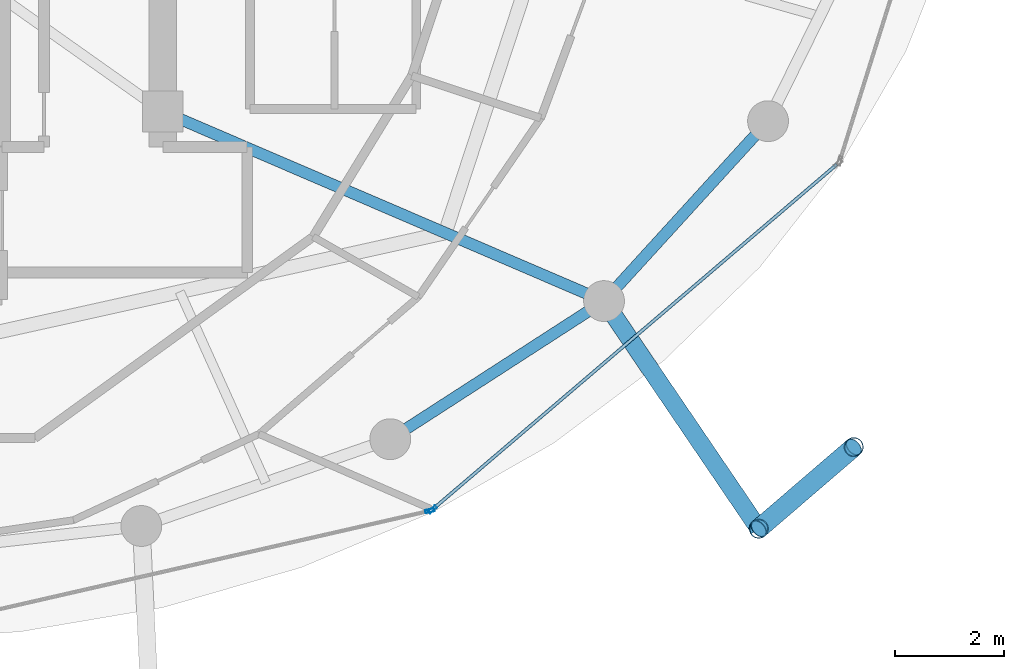
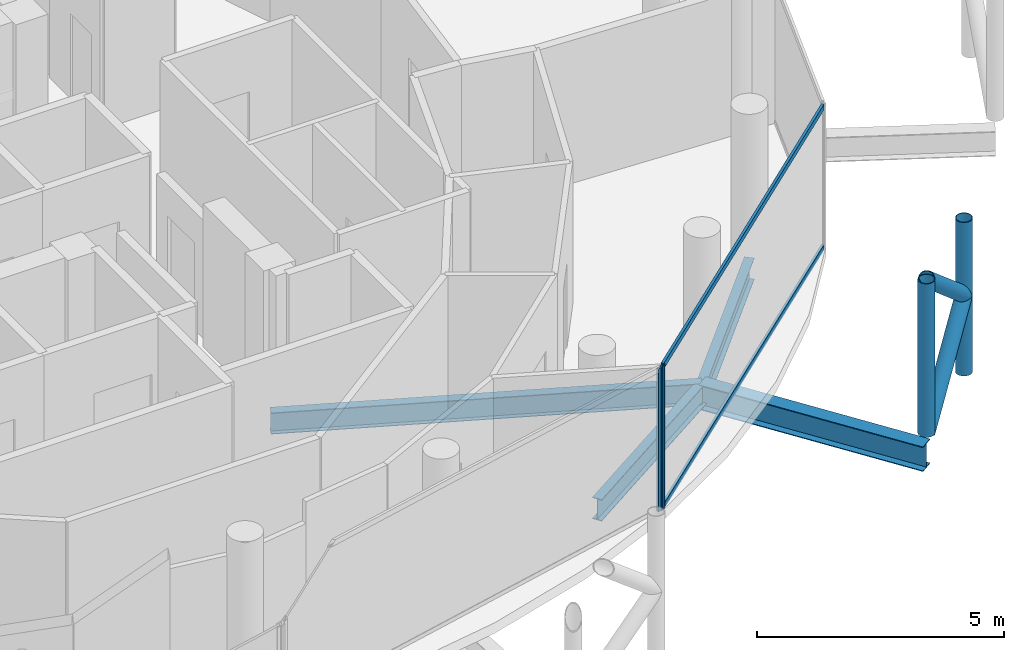
# One storey, part 9 of 24: 8 members, 4 beams, 2 elements without a shape of their own.
"""IFC4 building model written with IfcOpenShell, lengths in metres."""

import ifcopenshell
import ifcopenshell.guid

model = None  # the IFC model being written
_history = None  # IfcOwnerHistory: only IFC2X3 demands one
_inside = {}  # id of a spatial element -> (the spatial element, [elements in it])
_under = {}  # id of a project, library or spatial element -> (it, [spatial elements below it])
_declared = {}  # id of a project -> (the project, [libraries it declares])
_typed = {}  # id of a type object -> (the type object, [elements of that type])
_made_of = {}  # id of a material, layer set ... -> (it, [elements and type objects made of it])


def new_model(schema):
    """Start an empty IFC model of exactly this schema.

    Asked for "IFC4X3", IfcOpenShell would pick the latest addendum, in which some entities
    have other attributes; the version numbers below select the first issue.
    IFC2X3 requires an IfcOwnerHistory on every rooted entity: one is made here for all.
    """
    global model, _history
    if schema == "IFC4X3":
        model = ifcopenshell.file(schema_version=(4, 3, 0, 0))
    else:
        model = ifcopenshell.file(schema=schema)
    _inside.clear()
    _under.clear()
    _declared.clear()
    _typed.clear()
    _made_of.clear()
    _history = None
    if model.schema == "IFC2X3":
        org = make("IfcOrganization", Name="unknown")
        user = make(
            "IfcPersonAndOrganization",
            ThePerson=make("IfcPerson", FamilyName="unknown"),
            TheOrganization=org,
        )
        app = make(
            "IfcApplication",
            ApplicationDeveloper=org,
            Version="unknown",
            ApplicationFullName="unknown",
            ApplicationIdentifier="unknown",
        )
        _history = make(
            "IfcOwnerHistory",
            OwningUser=user,
            OwningApplication=app,
            ChangeAction="ADDED",
            CreationDate=0,
        )
    return model


def make(cls, **values):
    """One entity of the class cls with the attributes given. An attribute that is None is left unset."""
    return model.create_entity(
        cls, **{name: value for name, value in values.items() if value is not None}
    )


def rooted(cls, **values):
    """An entity with a GlobalId (a new one), such as an element, a storey or a relation."""
    return make(cls, GlobalId=ifcopenshell.guid.new(), OwnerHistory=_history, **values)


def si_unit(unit_type, name, prefix=None):
    """IfcSIUnit, for example si_unit("LENGTHUNIT", "METRE", prefix="MILLI")."""
    return make("IfcSIUnit", UnitType=unit_type, Prefix=prefix, Name=name)


def assignment(units):
    """IfcUnitAssignment: the units of a project."""
    return None if units is None else make("IfcUnitAssignment", Units=units)


def point(xyz):
    """IfcCartesianPoint."""
    return None if xyz is None else make("IfcCartesianPoint", Coordinates=xyz)


def direction(xyz):
    """IfcDirection."""
    return None if xyz is None else make("IfcDirection", DirectionRatios=xyz)


def frame(location, z_axis=None, x_axis=None):
    """IfcAxis2Placement3D, a coordinate frame: its origin and axes. An axis left out is left unset."""
    return make(
        "IfcAxis2Placement3D",
        Location=point(location),
        Axis=direction(z_axis),
        RefDirection=direction(x_axis),
    )


def frame_2d(location, x_axis=None):
    """IfcAxis2Placement2D, a coordinate frame in the plane: its origin and x axis."""
    return make(
        "IfcAxis2Placement2D", Location=point(location), RefDirection=direction(x_axis)
    )


def origin():
    """The frame at (0, 0, 0) with its axes left unset."""
    return frame((0.0, 0.0, 0.0))


def origin_2d():
    """The frame at (0, 0) in the plane with its x axis left unset."""
    return frame_2d((0.0, 0.0))


def place(relative_to, where):
    """IfcLocalPlacement: puts the frame where relative to a parent placement (None: the world)."""
    return make(
        "IfcLocalPlacement", PlacementRelTo=relative_to, RelativePlacement=where
    )


def context(
    kind, dimensions, precision=None, world=None, true_north=None, identifier=None
):
    """IfcGeometricRepresentationContext, for example the 3D "Model" context."""
    return make(
        "IfcGeometricRepresentationContext",
        ContextIdentifier=identifier,
        ContextType=kind,
        CoordinateSpaceDimension=dimensions,
        Precision=precision,
        WorldCoordinateSystem=world,
        TrueNorth=true_north,
    )


def subcontext(parent, identifier, kind, view, scale=None):
    """IfcGeometricRepresentationSubContext, for example "Body" below "Model"."""
    return make(
        "IfcGeometricRepresentationSubContext",
        ContextIdentifier=identifier,
        ContextType=kind,
        ParentContext=parent,
        TargetScale=scale,
        TargetView=view,
    )


def project(units=None, contexts=None):
    """IfcProject with its units and contexts."""
    return rooted(
        "IfcProject",
        Name="project",
        RepresentationContexts=contexts,
        UnitsInContext=assignment(units),
    )


def spatial(cls, under=None, at=None, **own):
    """A site, building, storey or space (cls), placed at a placement, below another one or the project."""
    s = rooted(cls, ObjectPlacement=at, **own)
    if under is not None:
        _under.setdefault(under.id(), (under, []))[1].append(s)
    return s


def profile(cls, at=None, kind="AREA", **sizes):
    """A parametric profile (cls). Its sizes go by their IFC names, for example OverallWidth=200.0."""
    return make(cls, ProfileType=kind, Position=at, **sizes)


def hollow_rectangle(**sizes):
    """IfcRectangleHollowProfileDef."""
    return profile("IfcRectangleHollowProfileDef", **sizes)


def hollow_circle(**sizes):
    """IfcCircleHollowProfileDef."""
    return profile("IfcCircleHollowProfileDef", **sizes)


def i_section(**sizes):
    """IfcIShapeProfileDef."""
    return profile("IfcIShapeProfileDef", **sizes)


def extrude(swept, where, along, depth):
    """IfcExtrudedAreaSolid: the profile swept, set in the frame where, extruded along a direction by depth."""
    return make(
        "IfcExtrudedAreaSolid",
        SweptArea=swept,
        Position=where,
        ExtrudedDirection=direction(along),
        Depth=depth,
    )


def shape(context_of_items, identifier, shape_type, items):
    """IfcShapeRepresentation: the items that make up one representation, for example the "Body"."""
    return make(
        "IfcShapeRepresentation",
        ContextOfItems=context_of_items,
        RepresentationIdentifier=identifier,
        RepresentationType=shape_type,
        Items=items,
    )


def material(Name=None, Category=None):
    """IfcMaterial."""
    return make("IfcMaterial", Name=Name, Category=Category)


def layer(
    of_material, thickness, ventilated=None, Name=None, Category=None, Priority=None
):
    """IfcMaterialLayer: one layer of a wall or slab, of a material (None: an air gap)."""
    return make(
        "IfcMaterialLayer",
        Material=of_material,
        LayerThickness=thickness,
        IsVentilated=ventilated,
        Name=Name,
        Category=Category,
        Priority=Priority,
    )


def layer_set(layers, Name=None):
    """IfcMaterialLayerSet."""
    return make("IfcMaterialLayerSet", MaterialLayers=layers, LayerSetName=Name)


def material_profile(
    of_material, cross_section, Name=None, Category=None, Priority=None
):
    """IfcMaterialProfile: a cross section and its material."""
    return make(
        "IfcMaterialProfile",
        Name=Name,
        Material=of_material,
        Profile=cross_section,
        Priority=Priority,
        Category=Category,
    )


def profile_set(profiles, Name=None, composite=None):
    """IfcMaterialProfileSet."""
    return make(
        "IfcMaterialProfileSet",
        Name=Name,
        MaterialProfiles=profiles,
        CompositeProfile=composite,
    )


def made_of(thing, what):
    """Note that an element or type object is made of a material, layer set ...; save() writes the relation."""
    if what is not None:
        _made_of.setdefault(what.id(), (what, []))[1].append(thing)
    return thing


def type_object(cls, material=None, **own):
    """A type object (cls), such as IfcWallType, which elements share."""
    return made_of(rooted(cls, **own), material)


def element(
    cls,
    number,
    at=None,
    inside=None,
    cuts=None,
    type_object=None,
    material=None,
    context=None,
    identifier="Body",
    shape_type=None,
    held_by="IfcProductDefinitionShape",
    body=None,
    shapes=None,
    **own,
):
    """One element of the class cls, such as IfcWall. Its Tag is "e" and its number.

    at: its placement. inside: the storey or other place that contains it. cuts: it is an
    opening in that element (IfcRelVoidsElement). A single representation is given by context,
    identifier, shape_type and body (its items); several are given by shapes. held_by: the class
    of the entity that holds the representations. save() writes the other relations.
    """
    e = rooted(cls, Tag="e%d" % number, ObjectPlacement=at, **own)
    if body is not None:
        shapes = [shape(context, identifier, shape_type, body)]
    if shapes is not None:
        e.Representation = make(held_by, Representations=shapes)
    if inside is not None:
        _inside.setdefault(inside.id(), (inside, []))[1].append(e)
    if cuts is not None:
        rooted(
            "IfcRelVoidsElement", RelatingBuildingElement=cuts, RelatedOpeningElement=e
        )
    if type_object is not None:
        _typed.setdefault(type_object.id(), (type_object, []))[1].append(e)
    return made_of(e, material)


def aggregate(whole, parts):
    """IfcRelAggregates: a whole, such as a stair, and the parts it consists of."""
    return rooted("IfcRelAggregates", RelatingObject=whole, RelatedObjects=parts)


def save(model, path):
    """Write the relations noted so far, then the file.

    IfcRelAggregates (storeys below a building ...), IfcRelContainedInSpatialStructure (elements
    in a storey), IfcRelDefinesByType, IfcRelAssociatesMaterial and IfcRelDeclares: one each for
    every whole, place, type object, material and project.
    """
    for whole, parts in _under.values():
        aggregate(whole, parts)
    for where, things in _inside.values():
        rooted(
            "IfcRelContainedInSpatialStructure",
            RelatedElements=things,
            RelatingStructure=where,
        )
    for kind, things in _typed.values():
        rooted("IfcRelDefinesByType", RelatedObjects=things, RelatingType=kind)
    for what, things in _made_of.values():
        rooted("IfcRelAssociatesMaterial", RelatedObjects=things, RelatingMaterial=what)
    for by, libraries in _declared.values():
        rooted("IfcRelDeclares", RelatingContext=by, RelatedDefinitions=libraries)
    model.write(path)


model = new_model("IFC4")

# Units and contexts
model_context = context("Model", 3, precision=1e-05, world=origin(), true_north=direction((0.0, 1.0)))
body_context = subcontext(model_context, "Body", "Model", "MODEL_VIEW")
ifc_project = project(units=[si_unit("LENGTHUNIT", "METRE"), si_unit("AREAUNIT", "SQUARE_METRE"), si_unit("VOLUMEUNIT", "CUBIC_METRE"), si_unit("PLANEANGLEUNIT", "RADIAN"), si_unit("MASSUNIT", "GRAM", prefix="KILO")], contexts=[model_context])

# Site, building, storey
site_placement = place(None, origin())
site = spatial("IfcSite", under=ifc_project, at=site_placement, CompositionType="ELEMENT")
building_placement = place(site_placement, origin())
building = spatial("IfcBuilding", under=site, at=building_placement, Name="Nuhasar Tower", CompositionType="ELEMENT")
storey_placement = place(building_placement, frame((0.0, 0.0, 263.199951171875)))
storey = spatial("IfcBuildingStorey", under=building, at=storey_placement, Name="L65", CompositionType="ELEMENT", Elevation=263.199951171875)

# Beams
ifc_material_1 = material(Name="Steel S355", Category="steel")
ifc_material_profile_1 = material_profile(ifc_material_1, i_section(OverallWidth=0.208984375, OverallDepth=0.528076171875, WebThickness=0.009521484375, FlangeThickness=0.01318359375, at=origin_2d()), Name="W21X55")
ifc_profile_set_1 = profile_set([ifc_material_profile_1], Name="Steel S355")
beam_type_1 = type_object("IfcBeamType", Name="BM-RAD-W21X55", PredefinedType="BEAM", material=ifc_profile_set_1)
beam_1_placement = place(storey_placement, frame((44.300048828125, 19.0, -0.52392578125), z_axis=(0.91887119061, -0.394557644797, 0.0), x_axis=(0.394557644797, 0.91887119061, 0.0)))
element("IfcBeam", 1, at=beam_1_placement, inside=storey, type_object=beam_type_1, Name="L65 Radial Floor Girder 03", PredefinedType="BEAM", context=body_context, shape_type="SweptSolid", body=[
    extrude(i_section(OverallWidth=0.208984375, OverallDepth=0.528076171875, WebThickness=0.009521484375, FlangeThickness=0.01318359375, at=origin_2d()), origin(), (0.0, 0.0, 1.0), 8.81494140625),
])
ifc_material_profile_2 = material_profile(ifc_material_1, i_section(OverallWidth=0.2099609375, OverallDepth=0.537109375, WebThickness=0.010986328125, FlangeThickness=0.017333984375, at=origin_2d()), Name="W21X68")
ifc_profile_set_2 = profile_set([ifc_material_profile_2], Name="Steel S355")
beam_type_2 = type_object("IfcBeamType", Name="BM-RING-W21X68", PredefinedType="SPANDREL", material=ifc_profile_set_2)
beam_2_placement = place(storey_placement, frame((48.47509765625, 12.987060546875, -0.529052734375), z_axis=(0.840025485934, 0.542546940809, 0.0), x_axis=(-0.542546940809, 0.840025485934, 0.0)))
element("IfcBeam", 2, at=beam_2_placement, inside=storey, type_object=beam_type_2, Name="L65 Perimeter Ring Spandrel 21", PredefinedType="SPANDREL", context=body_context, shape_type="SweptSolid", body=[
    extrude(i_section(OverallWidth=0.2099609375, OverallDepth=0.537109375, WebThickness=0.010986328125, FlangeThickness=0.017333984375, at=origin_2d()), origin(), (0.0, 0.0, 1.0), 4.67236328125),
])
beam_3_placement = place(storey_placement, frame((52.39990234375, 15.52197265625, -0.529052734375), z_axis=(0.673686302939, 0.739017432293, 0.0), x_axis=(-0.739017432293, 0.673686302939, 0.0)))
element("IfcBeam", 3, at=beam_3_placement, inside=storey, type_object=beam_type_2, Name="L65 Perimeter Ring Spandrel 22", PredefinedType="SPANDREL", context=body_context, shape_type="SweptSolid", body=[
    extrude(i_section(OverallWidth=0.2099609375, OverallDepth=0.537109375, WebThickness=0.010986328125, FlangeThickness=0.017333984375, at=origin_2d()), origin(), (0.0, 0.0, 1.0), 4.469482421875),
])
ifc_material_profile_3 = material_profile(ifc_material_1, i_section(OverallWidth=0.323974609375, OverallDepth=0.611083984375, WebThickness=0.0126953125, FlangeThickness=0.01904296875, at=origin_2d()), Name="W24X104")
ifc_profile_set_3 = profile_set([ifc_material_profile_3], Name="Steel S355")
beam_type_3 = type_object("IfcBeamType", Name="BM-TIE-W24X104", PredefinedType="BEAM", material=ifc_profile_set_3)
beam_4_placement = place(storey_placement, frame((52.39990234375, 15.52197265625, -0.56494140625), z_axis=(0.562093254487, -0.827073862034, 0.0), x_axis=(0.827073862034, 0.562093254487, 0.0)))
element("IfcBeam", 4, at=beam_4_placement, inside=storey, type_object=beam_type_3, Name="L65 Exoskeleton Node Tie Beam 11", PredefinedType="BEAM", context=body_context, shape_type="SweptSolid", body=[
    extrude(i_section(OverallWidth=0.323974609375, OverallDepth=0.611083984375, WebThickness=0.0126953125, FlangeThickness=0.01904296875, at=origin_2d()), origin(), (0.0, 0.0, 1.0), 5.052734375),
])

# Curtain wall, member
ifc_material_2 = material(Name="Aluminium 6063-T6", Category="aluminium")
ifc_layer = layer(ifc_material_2, 0.18994140625)
ifc_layer_set = layer_set([ifc_layer], Name="Aluminium 6063-T6")
curtain_wall_type = type_object("IfcCurtainWallType", Name="CW-Z4-PEN", PredefinedType="NOTDEFINED", material=ifc_layer_set)
curtain_wall_1_placement = place(storey_placement, origin())
curtain_wall_1 = element("IfcCurtainWall", 5, at=curtain_wall_1_placement, inside=storey, type_object=curtain_wall_type, Name="L65 Unitised Curtain Wall 10", PredefinedType="NOTDEFINED")
ifc_material_profile_4 = material_profile(ifc_material_2, hollow_rectangle(XDim=0.06005859375, YDim=0.1650390625, WallThickness=0.0048828125, at=origin_2d()), Name="CWM-5")
ifc_profile_set_4 = profile_set([ifc_material_profile_4], Name="Aluminium 6063-T6")
member_type_1 = type_object("IfcMemberType", Name="CW-MUL-S5", PredefinedType="MULLION", material=ifc_profile_set_4)
member_1_placement = place(storey_placement, frame((49.20068359375, 11.67236328125, 0.0), z_axis=(0.0, 0.0, 1.0), x_axis=(-0.222889487645, 0.97484371891, 0.0)))
member_1 = element("IfcMember", 6, at=member_1_placement, type_object=member_type_1, Name="CW-Z4 mullion 2", PredefinedType="MULLION", context=body_context, shape_type="SweptSolid", body=[
    extrude(hollow_rectangle(XDim=0.06005859375, YDim=0.1650390625, WallThickness=0.0048828125, at=origin_2d()), origin(), (0.0, 0.0, 1.0), 3.5400390625),
])
aggregate(curtain_wall_1, [member_1])

# Curtain wall, members
curtain_wall_2_placement = place(storey_placement, origin())
curtain_wall_2 = element("IfcCurtainWall", 7, at=curtain_wall_2_placement, inside=storey, type_object=curtain_wall_type, Name="L65 Unitised Curtain Wall 11", PredefinedType="NOTDEFINED")
member_2_placement = place(storey_placement, frame((49.2529296875, 11.698486328125, 0.0), z_axis=(0.0, 0.0, 1.0), x_axis=(-0.649141996205, 0.760667252327, 0.0)))
member_2 = element("IfcMember", 8, at=member_2_placement, type_object=member_type_1, Name="CW-Z4 mullion 1", PredefinedType="MULLION", context=body_context, shape_type="SweptSolid", body=[
    extrude(hollow_rectangle(XDim=0.06005859375, YDim=0.1650390625, WallThickness=0.0048828125, at=origin_2d()), origin(), (0.0, 0.0, 1.0), 3.5400390625),
])
ifc_material_profile_5 = material_profile(ifc_material_2, hollow_rectangle(XDim=0.06005859375, YDim=0.135009765625, WallThickness=0.00439453125, at=origin_2d()), Name="CWT-5")
ifc_profile_set_5 = profile_set([ifc_material_profile_5], Name="Aluminium 6063-T6")
member_type_2 = type_object("IfcMemberType", Name="CW-TRN-S5", PredefinedType="USERDEFINED", material=ifc_profile_set_5)
member_3_placement = place(storey_placement, frame((49.275634765625, 11.718017578125, 0.030029296875), z_axis=(0.760672431431, 0.649135927261, 0.0), x_axis=(-0.649135927261, 0.760672431431, 0.0)))
member_3 = element("IfcMember", 9, at=member_3_placement, type_object=member_type_2, Name="CW-Z4 transom 1.1", ObjectType="TRANSOM", PredefinedType="USERDEFINED", context=body_context, shape_type="SweptSolid", body=[
    extrude(hollow_rectangle(XDim=0.06005859375, YDim=0.135009765625, WallThickness=0.00439453125, at=origin_2d()), origin(), (0.0, 0.0, 1.0), 9.72509765625),
])
member_4_placement = place(storey_placement, frame((49.275634765625, 11.718017578125, 3.510009765625), z_axis=(0.760672431431, 0.649135927261, 0.0), x_axis=(-0.649135927261, 0.760672431431, 0.0)))
member_4 = element("IfcMember", 10, at=member_4_placement, type_object=member_type_2, Name="CW-Z4 transom 1.2", ObjectType="TRANSOM", PredefinedType="USERDEFINED", context=body_context, shape_type="SweptSolid", body=[
    extrude(hollow_rectangle(XDim=0.06005859375, YDim=0.135009765625, WallThickness=0.00439453125, at=origin_2d()), origin(), (0.0, 0.0, 1.0), 9.72509765625),
])
aggregate(curtain_wall_2, [member_2, member_3, member_4])

# Members
ifc_material_3 = material(Name="Steel S460", Category="steel")
ifc_material_profile_6 = material_profile(ifc_material_3, hollow_circle(Radius=0.177734375, WallThickness=0.015869140625, at=origin_2d()), Name="HSS355.6X15.9")
ifc_profile_set_6 = profile_set([ifc_material_profile_6], Name="Steel S460")
member_type_3 = type_object("IfcMemberType", Name="EXO-BRONZE-356", PredefinedType="BRACE", material=ifc_profile_set_6)
for number, where, z_axis, x_axis, name in (
    (11, (55.239990234375, 11.343017578125, 0.0), (0.0, 0.0, 1.0), (1.0, 0.0, 0.0), "L65 Exoskeleton Chord Column EC-11A"),
    (12, (56.98388671875, 12.842041015625, 0.0), (0.0, 0.0, 1.0), (1.0, 0.0, 0.0), "L65 Exoskeleton Chord Column EC-11B"),
):
    element("IfcMember", number, at=place(storey_placement, frame(where, z_axis=z_axis, x_axis=x_axis)), inside=storey, type_object=member_type_3, Name=name, PredefinedType="BRACE", context=body_context, shape_type="SweptSolid", body=[
        extrude(hollow_circle(Radius=0.177734375, WallThickness=0.015869140625, at=origin_2d()), origin(), (0.0, 0.0, 1.0), 3.800048828125),
    ])
member_5_placement = place(storey_placement, frame((55.239990234375, 11.343017578125, 0.0), z_axis=(0.584594747408, 0.50250759472, 0.636973389203), x_axis=(-0.65185738425, 0.758341579104, 0.0)))
element("IfcMember", 13, at=member_5_placement, inside=storey, type_object=member_type_3, Name="L65 Bronze Diagrid Brace W1-11", PredefinedType="BRACE", context=body_context, shape_type="SweptSolid", body=[
    extrude(hollow_circle(Radius=0.177734375, WallThickness=0.015869140625, at=origin_2d()), origin(), (0.0, 0.0, 1.0), 2.983154296875),
])
member_6_placement = place(storey_placement, frame((56.98388671875, 12.842041015625, 1.900146484375), z_axis=(-0.584625223306, -0.502533791278, 0.636924749792), x_axis=(0.65185738425, -0.758341579104, 0.0)))
element("IfcMember", 14, at=member_6_placement, inside=storey, type_object=member_type_3, Name="L65 Bronze Diagrid Brace W2-11", PredefinedType="BRACE", context=body_context, shape_type="SweptSolid", body=[
    extrude(hollow_circle(Radius=0.177734375, WallThickness=0.015869140625, at=origin_2d()), origin(), (0.0, 0.0, 1.0), 2.98291015625),
])

save(model, "model.ifc")
